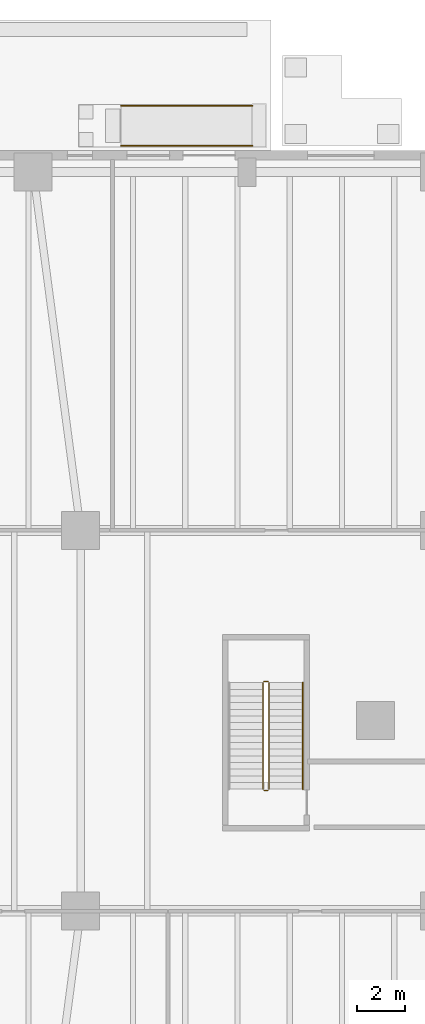
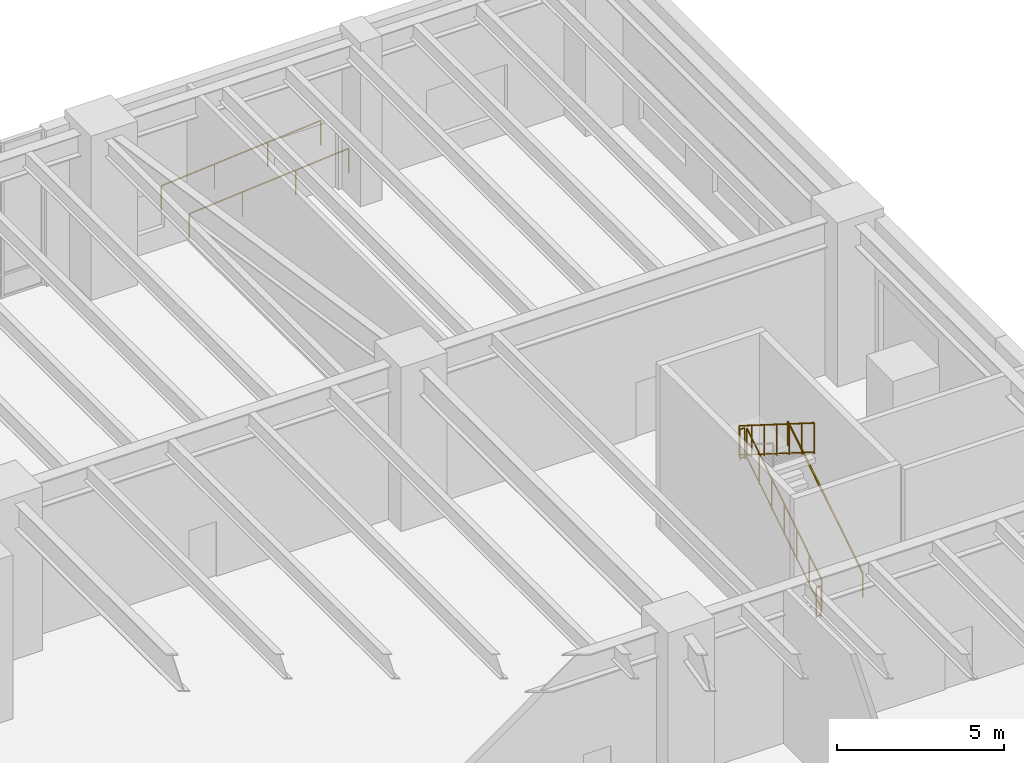
# One storey, part 27 of 28: 7 railings.
"""IFC4 building model written with IfcOpenShell, lengths in metres."""

from ifc_helpers import new_model, si_unit, direction, frame, origin, origin_2d, place, context, subcontext, project, spatial, circle, extrude, material, type_object, element, save


model = new_model("IFC4")

# Units and contexts
model_context = context("Model", 3, precision=1e-05, world=origin(), true_north=direction((0.0, 1.0)))
body_context = subcontext(model_context, "Body", "Model", "MODEL_VIEW")
ifc_project = project(units=[si_unit("LENGTHUNIT", "METRE"), si_unit("AREAUNIT", "SQUARE_METRE"), si_unit("VOLUMEUNIT", "CUBIC_METRE"), si_unit("PLANEANGLEUNIT", "RADIAN"), si_unit("MASSUNIT", "GRAM", prefix="KILO"), si_unit("THERMODYNAMICTEMPERATUREUNIT", "KELVIN"), si_unit("POWERUNIT", "WATT")], contexts=[model_context])

# Site, building, storey
site_placement = place(None, origin())
site = spatial("IfcSite", under=ifc_project, at=site_placement, CompositionType="ELEMENT")
building_placement = place(site_placement, origin())
building = spatial("IfcBuilding", under=site, at=building_placement, Name="Skarre Station Tower", CompositionType="ELEMENT")
storey_placement = place(building_placement, origin())
storey = spatial("IfcBuildingStorey", under=building, at=storey_placement, Name="L01", CompositionType="ELEMENT", Elevation=0.0)

# Railings
ifc_material = material(Name="Powder-Coated Tubular Steel", Category="steel")
railing_type_1 = type_object("IfcRailingType", Name="Painted Steel Ramp & Stair Handrail 920", PredefinedType="HANDRAIL", material=ifc_material)
railing_1_placement = place(storey_placement, frame((65.35009765625, 21.1201171875, 0.176513671875)))
element("IfcRailing", 1, at=railing_1_placement, inside=storey, type_object=railing_type_1, Name="L01 ST-5 stair handrail 1", PredefinedType="HANDRAIL", context=body_context, shape_type="SweptSolid", body=[
    extrude(circle(Radius=0.02392578125, at=origin_2d()), frame((0.0, 0.0, 0.8759765625), z_axis=(0.0, 0.845997938375, 0.533186166611), x_axis=(-1.0, 0.0, 0.0)), (0.0, 0.0, 1.0), 5.29541015625),
    extrude(circle(Radius=0.02099609375, at=origin_2d()), origin(), (0.0, 0.0, 1.0), 0.851806640625),
    extrude(circle(Radius=0.02099609375, at=origin_2d()), frame((0.0, 4.47998046875, 2.823486328125)), (0.0, 0.0, 1.0), 0.851806640625),
])
for number, where, name in (
    (2, (57.699951171875, 48.2099609375, -0.4599609375), "North East Arcade Accessible Ramp Handrail A"),
    (3, (57.699951171875, 49.889892578125, -0.4599609375), "North East Arcade Accessible Ramp Handrail B"),
):
    element("IfcRailing", number, at=place(storey_placement, frame(where)), inside=storey, type_object=railing_type_1, Name=name, PredefinedType="HANDRAIL", context=body_context, shape_type="SweptSolid", body=[
        extrude(circle(Radius=0.02392578125, at=origin_2d()), frame((0.0, 0.0, 0.89599609375), z_axis=(0.996546366156, 0.0, 0.083038184601), x_axis=(0.0, 1.0, 0.0)), (0.0, 0.0, 1.0), 5.5390625),
        extrude(circle(Radius=0.02099609375, at=origin_2d()), origin(), (0.0, 0.0, 1.0), 0.871826171875),
        extrude(circle(Radius=0.02099609375, at=origin_2d()), frame((1.840087890625, 0.0, 0.1533203125)), (0.0, 0.0, 1.0), 0.871826171875),
        extrude(circle(Radius=0.02099609375, at=origin_2d()), frame((3.679931640625, 0.0, 0.306640625)), (0.0, 0.0, 1.0), 0.871826171875),
        extrude(circle(Radius=0.02099609375, at=origin_2d()), frame((5.52001953125, 0.0, 0.4599609375)), (0.0, 0.0, 1.0), 0.871826171875),
    ])
railing_type_2 = type_object("IfcRailingType", Name="Painted Steel Stairwell Guardrail 1100", PredefinedType="GUARDRAIL", material=ifc_material)
railing_2_placement = place(storey_placement, frame((63.929931640625, 21.1201171875, 0.176513671875)))
element("IfcRailing", 4, at=railing_2_placement, inside=storey, type_object=railing_type_2, Name="L01 ST-5 stair guard 1", PredefinedType="GUARDRAIL", context=body_context, shape_type="SweptSolid", body=[
    extrude(circle(Radius=0.02392578125, at=origin_2d()), frame((0.0, 0.0, 1.1259765625), z_axis=(0.0, 0.845997938375, 0.533186166611), x_axis=(-1.0, 0.0, 0.0)), (0.0, 0.0, 1.0), 5.29541015625),
    extrude(circle(Radius=0.02099609375, at=origin_2d()), frame((0.0, 0.0, 0.06005859375), z_axis=(0.0, 0.845997938375, 0.533186166611), x_axis=(-1.0, 0.0, 0.0)), (0.0, 0.0, 1.0), 5.29541015625),
    extrude(circle(Radius=0.02099609375, at=origin_2d()), origin(), (0.0, 0.0, 1.0), 1.101806640625),
    extrude(circle(Radius=0.02099609375, at=origin_2d()), frame((0.0, 0.74658203125, 0.470703125)), (0.0, 0.0, 1.0), 1.101806640625),
    extrude(circle(Radius=0.02099609375, at=origin_2d()), frame((0.0, 1.493408203125, 0.941162109375)), (0.0, 0.0, 1.0), 1.101806640625),
    extrude(circle(Radius=0.02099609375, at=origin_2d()), frame((0.0, 2.239990234375, 1.41162109375)), (0.0, 0.0, 1.0), 1.101806640625),
    extrude(circle(Radius=0.02099609375, at=origin_2d()), frame((0.0, 2.986572265625, 1.88232421875)), (0.0, 0.0, 1.0), 1.101806640625),
    extrude(circle(Radius=0.02099609375, at=origin_2d()), frame((0.0, 3.7333984375, 2.35302734375)), (0.0, 0.0, 1.0), 1.101806640625),
    extrude(circle(Radius=0.02099609375, at=origin_2d()), frame((0.0, 4.47998046875, 2.823486328125)), (0.0, 0.0, 1.0), 1.101806640625),
])
railing_3_placement = place(storey_placement, frame((63.8798828125, 25.64990234375, 3.0)))
element("IfcRailing", 5, at=railing_3_placement, inside=storey, type_object=railing_type_2, Name="L01 ST-5 stair guard 2", PredefinedType="GUARDRAIL", context=body_context, shape_type="SweptSolid", body=[
    extrude(circle(Radius=0.02392578125, at=origin_2d()), frame((0.0, 0.0, 1.1259765625), z_axis=(-1.0, 0.0, 0.0), x_axis=(0.0, -1.0, 0.0)), (0.0, 0.0, 1.0), 0.159912109375),
    extrude(circle(Radius=0.02099609375, at=origin_2d()), frame((0.0, 0.0, 0.06005859375), z_axis=(-1.0, 0.0, 0.0), x_axis=(0.0, -1.0, 0.0)), (0.0, 0.0, 1.0), 0.159912109375),
    extrude(circle(Radius=0.02099609375, at=origin_2d()), origin(), (0.0, 0.0, 1.0), 1.101806640625),
    extrude(circle(Radius=0.02099609375, at=origin_2d()), frame((-0.159912109375, 0.0, 0.0)), (0.0, 0.0, 1.0), 1.101806640625),
])
railing_4_placement = place(storey_placement, frame((63.669921875, 25.60009765625, 3.176513671875)))
element("IfcRailing", 6, at=railing_4_placement, inside=storey, type_object=railing_type_2, Name="L01 ST-5 stair guard 3", PredefinedType="GUARDRAIL", context=body_context, shape_type="SweptSolid", body=[
    extrude(circle(Radius=0.02392578125, at=origin_2d()), frame((0.0, 0.0, 1.1259765625), z_axis=(0.0, -0.845997938375, 0.533186166611), x_axis=(1.0, 0.0, 0.0)), (0.0, 0.0, 1.0), 5.29541015625),
    extrude(circle(Radius=0.02099609375, at=origin_2d()), frame((0.0, 0.0, 0.06005859375), z_axis=(0.0, -0.845997938375, 0.533186166611), x_axis=(1.0, 0.0, 0.0)), (0.0, 0.0, 1.0), 5.29541015625),
    extrude(circle(Radius=0.02099609375, at=origin_2d()), origin(), (0.0, 0.0, 1.0), 1.101806640625),
    extrude(circle(Radius=0.02099609375, at=origin_2d()), frame((0.0, -0.74658203125, 0.470703125)), (0.0, 0.0, 1.0), 1.101806640625),
    extrude(circle(Radius=0.02099609375, at=origin_2d()), frame((0.0, -1.493408203125, 0.941162109375)), (0.0, 0.0, 1.0), 1.101806640625),
    extrude(circle(Radius=0.02099609375, at=origin_2d()), frame((0.0, -2.239990234375, 1.41162109375)), (0.0, 0.0, 1.0), 1.101806640625),
    extrude(circle(Radius=0.02099609375, at=origin_2d()), frame((0.0, -2.986572265625, 1.88232421875)), (0.0, 0.0, 1.0), 1.101806640625),
    extrude(circle(Radius=0.02099609375, at=origin_2d()), frame((0.0, -3.7333984375, 2.35302734375)), (0.0, 0.0, 1.0), 1.101806640625),
    extrude(circle(Radius=0.02099609375, at=origin_2d()), frame((0.0, -4.47998046875, 2.823486328125)), (0.0, 0.0, 1.0), 1.101806640625),
])
railing_5_placement = place(storey_placement, frame((63.8798828125, 21.070068359375, 0.0)))
element("IfcRailing", 7, at=railing_5_placement, inside=storey, type_object=railing_type_2, Name="L01 ST-5 stair guard 4", PredefinedType="GUARDRAIL", context=body_context, shape_type="SweptSolid", body=[
    extrude(circle(Radius=0.02392578125, at=origin_2d()), frame((0.0, 0.0, 1.1259765625), z_axis=(-1.0, 0.0, 0.0), x_axis=(0.0, -1.0, 0.0)), (0.0, 0.0, 1.0), 0.159912109375),
    extrude(circle(Radius=0.02099609375, at=origin_2d()), frame((0.0, 0.0, 0.06005859375), z_axis=(-1.0, 0.0, 0.0), x_axis=(0.0, -1.0, 0.0)), (0.0, 0.0, 1.0), 0.159912109375),
    extrude(circle(Radius=0.02099609375, at=origin_2d()), origin(), (0.0, 0.0, 1.0), 1.101806640625),
    extrude(circle(Radius=0.02099609375, at=origin_2d()), frame((-0.159912109375, 0.0, 0.0)), (0.0, 0.0, 1.0), 1.101806640625),
])

save(model, "model.ifc")
